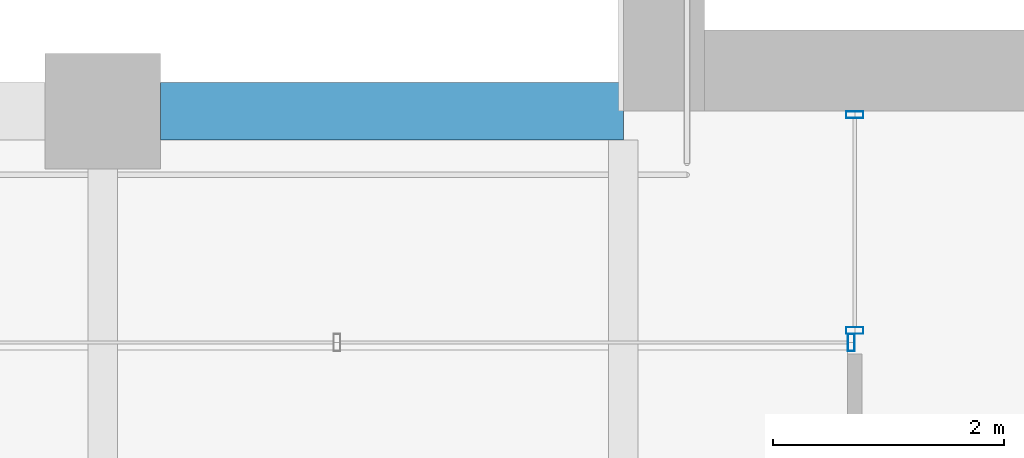
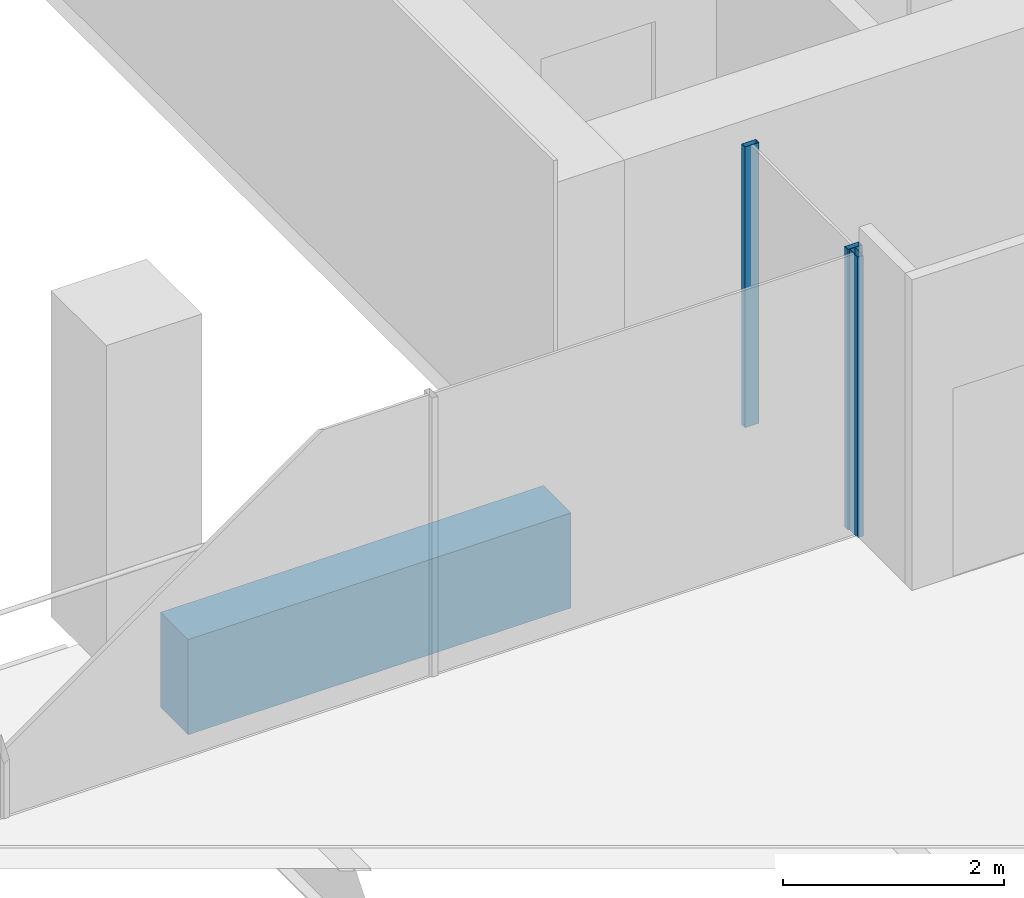
# One storey, part 6 of 46: 3 members, 1 beam, 2 elements without a shape of their own.
"""IFC4 building model written with IfcOpenShell, lengths in metres."""

from ifc_helpers import new_model, si_unit, direction, frame, origin, origin_2d, place, context, subcontext, project, spatial, rectangle, hollow_rectangle, extrude, material, material_profile, profile_set, type_object, element, aggregate, save


model = new_model("IFC4")

# Units and contexts
model_context = context("Model", 3, precision=1e-05, world=origin(), true_north=direction((0.0, 1.0)))
body_context = subcontext(model_context, "Body", "Model", "MODEL_VIEW")
ifc_project = project(units=[si_unit("LENGTHUNIT", "METRE"), si_unit("AREAUNIT", "SQUARE_METRE"), si_unit("VOLUMEUNIT", "CUBIC_METRE"), si_unit("PLANEANGLEUNIT", "RADIAN"), si_unit("MASSUNIT", "GRAM", prefix="KILO")], contexts=[model_context])

# Site, building, storey
site_placement = place(None, origin())
site = spatial("IfcSite", under=ifc_project, at=site_placement, CompositionType="ELEMENT")
building_placement = place(site_placement, origin())
building = spatial("IfcBuilding", under=site, at=building_placement, Name="Altepetl Exchange Towers", CompositionType="ELEMENT")
storey_placement = place(building_placement, frame((0.0, 0.0, 106.39990234375)))
storey = spatial("IfcBuildingStorey", under=building, at=storey_placement, Name="L26", CompositionType="ELEMENT", Elevation=106.39990234375)

# Curtain wall, members
ifc_material_1 = material(Name="Aluminium 6063-T6 glazing", Category="aluminium")
curtain_wall_type = type_object("IfcCurtainWallType", Name="Loggia glazing system", PredefinedType="NOTDEFINED", material=ifc_material_1)
curtain_wall_1_placement = place(storey_placement, origin())
curtain_wall_1 = element("IfcCurtainWall", 1, at=curtain_wall_1_placement, inside=storey, type_object=curtain_wall_type, Name="CW1 run", PredefinedType="NOTDEFINED")
ifc_material_2 = material(Name="Aluminium 6063-T6", Category="aluminium")
ifc_material_profile_1 = material_profile(ifc_material_2, hollow_rectangle(XDim=0.06005859375, YDim=0.14990234375, WallThickness=0.0029296875, at=origin_2d()), Name="Mullion 60x150 aluminium")
ifc_profile_set_1 = profile_set([ifc_material_profile_1], Name="Aluminium 6063-T6")
member_type = type_object("IfcMemberType", Name="Mullion 60x150 aluminium", PredefinedType="MULLION", material=ifc_profile_set_1)
member_1_placement = place(storey_placement, frame((42.5, 40.469970703125, 0.0), z_axis=(0.0, 0.0, 1.0), x_axis=(0.0, -1.0, 0.0)))
member_1 = element("IfcMember", 2, at=member_1_placement, type_object=member_type, Name="MU1 mullion", PredefinedType="MULLION", context=body_context, shape_type="SweptSolid", body=[
    extrude(hollow_rectangle(XDim=0.06005859375, YDim=0.14990234375, WallThickness=0.0029296875, at=origin_2d()), origin(), (0.0, 0.0, 1.0), 3.10009765625),
])
member_2_placement = place(storey_placement, frame((42.5, 38.60498046875, 0.0), z_axis=(0.0, 0.0, 1.0), x_axis=(0.0, -1.0, 0.0)))
member_2 = element("IfcMember", 3, at=member_2_placement, type_object=member_type, Name="MU1 mullion", PredefinedType="MULLION", context=body_context, shape_type="SweptSolid", body=[
    extrude(hollow_rectangle(XDim=0.06005859375, YDim=0.14990234375, WallThickness=0.0029296875, at=origin_2d()), origin(), (0.0, 0.0, 1.0), 3.10009765625),
])
aggregate(curtain_wall_1, [member_1, member_2])

# Curtain wall, member
curtain_wall_2_placement = place(storey_placement, origin())
curtain_wall_2 = element("IfcCurtainWall", 4, at=curtain_wall_2_placement, inside=storey, type_object=curtain_wall_type, Name="CW1 run", PredefinedType="NOTDEFINED")
member_3_placement = place(storey_placement, frame((42.469970703125, 38.5, 0.0), z_axis=(0.0, 0.0, 1.0), x_axis=(-1.0, 0.0, 0.0)))
member_3 = element("IfcMember", 5, at=member_3_placement, type_object=member_type, Name="MU1 mullion", PredefinedType="MULLION", context=body_context, shape_type="SweptSolid", body=[
    extrude(hollow_rectangle(XDim=0.06005859375, YDim=0.14990234375, WallThickness=0.0029296875, at=origin_2d()), origin(), (0.0, 0.0, 1.0), 3.10009765625),
])
aggregate(curtain_wall_2, [member_3])

# Beam
ifc_material_3 = material(Name="Concrete C50/60 precast with tezontle facing", Category="concrete")
ifc_material_profile_2 = material_profile(ifc_material_3, rectangle(XDim=0.5, YDim=1.050048828125, at=origin_2d()), Name="500 x 1050")
ifc_profile_set_2 = profile_set([ifc_material_profile_2], Name="Concrete C50/60 precast with tezontle facing")
beam_type = type_object("IfcBeamType", Name="Spandrel beam 500x1050 tezontle", PredefinedType="SPANDREL", material=ifc_profile_set_2)
beam_placement = place(storey_placement, frame((40.5, 40.5, -0.6748046875), z_axis=(-1.0, 0.0, 0.0), x_axis=(0.0, -1.0, 0.0)))
element("IfcBeam", 6, at=beam_placement, inside=storey, type_object=beam_type, Name="sp:A:L26:033", PredefinedType="SPANDREL", context=body_context, shape_type="SweptSolid", body=[
    extrude(rectangle(XDim=0.5, YDim=1.050048828125, at=origin_2d()), origin(), (0.0, 0.0, 1.0), 4.0),
])

save(model, "model.ifc")
